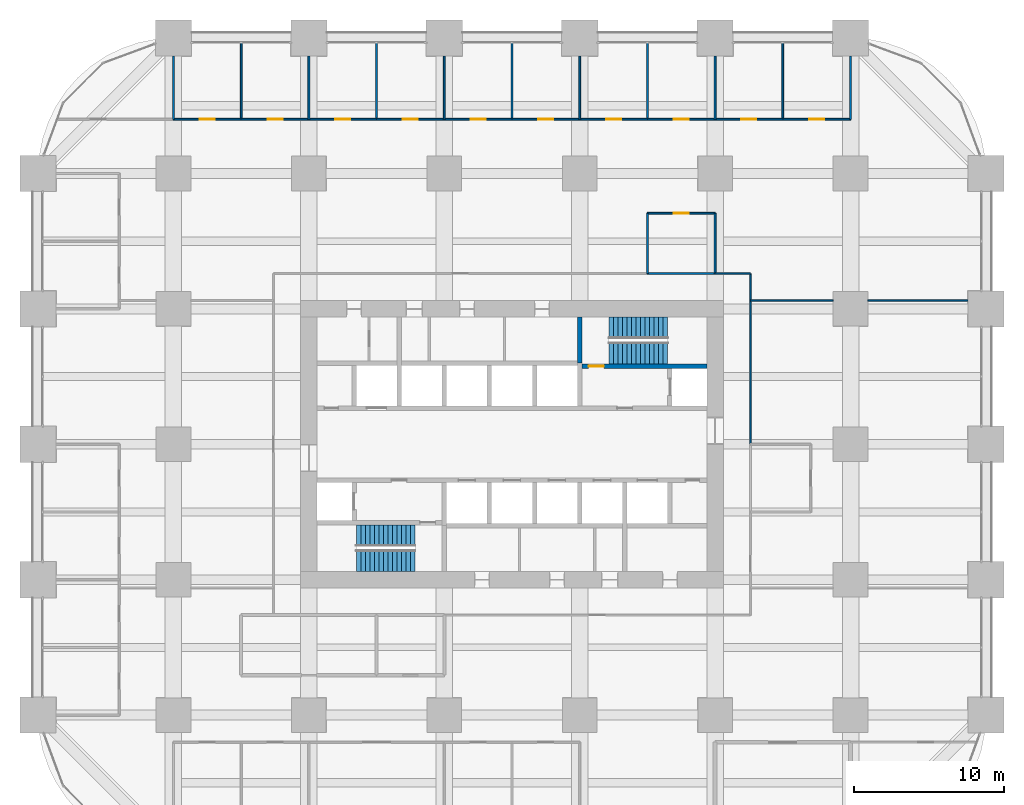
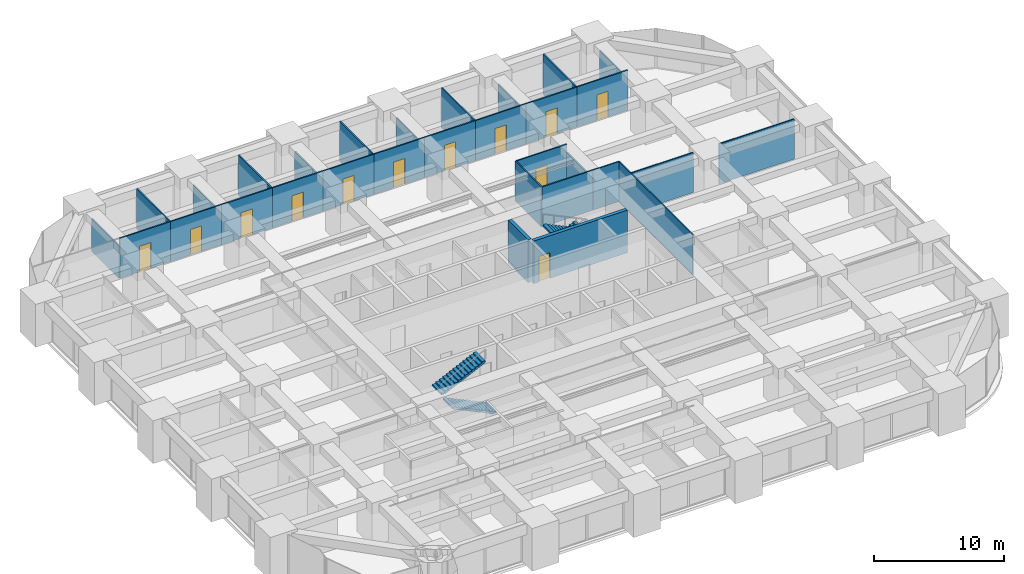
# One storey, part 42 of 44: 31 walls, 12 doors, 4 stair flights, 12 openings, 2 elements without a shape of their own.
"""IFC4 building model written with IfcOpenShell, lengths in metres."""

import ifcopenshell
import ifcopenshell.guid

model = None  # the IFC model being written
_history = None  # IfcOwnerHistory: only IFC2X3 demands one
_inside = {}  # id of a spatial element -> (the spatial element, [elements in it])
_under = {}  # id of a project, library or spatial element -> (it, [spatial elements below it])
_declared = {}  # id of a project -> (the project, [libraries it declares])
_typed = {}  # id of a type object -> (the type object, [elements of that type])
_made_of = {}  # id of a material, layer set ... -> (it, [elements and type objects made of it])


def new_model(schema):
    """Start an empty IFC model of exactly this schema.

    Asked for "IFC4X3", IfcOpenShell would pick the latest addendum, in which some entities
    have other attributes; the version numbers below select the first issue.
    IFC2X3 requires an IfcOwnerHistory on every rooted entity: one is made here for all.
    """
    global model, _history
    if schema == "IFC4X3":
        model = ifcopenshell.file(schema_version=(4, 3, 0, 0))
    else:
        model = ifcopenshell.file(schema=schema)
    _inside.clear()
    _under.clear()
    _declared.clear()
    _typed.clear()
    _made_of.clear()
    _history = None
    if model.schema == "IFC2X3":
        org = make("IfcOrganization", Name="unknown")
        user = make(
            "IfcPersonAndOrganization",
            ThePerson=make("IfcPerson", FamilyName="unknown"),
            TheOrganization=org,
        )
        app = make(
            "IfcApplication",
            ApplicationDeveloper=org,
            Version="unknown",
            ApplicationFullName="unknown",
            ApplicationIdentifier="unknown",
        )
        _history = make(
            "IfcOwnerHistory",
            OwningUser=user,
            OwningApplication=app,
            ChangeAction="ADDED",
            CreationDate=0,
        )
    return model


def make(cls, **values):
    """One entity of the class cls with the attributes given. An attribute that is None is left unset."""
    return model.create_entity(
        cls, **{name: value for name, value in values.items() if value is not None}
    )


def rooted(cls, **values):
    """An entity with a GlobalId (a new one), such as an element, a storey or a relation."""
    return make(cls, GlobalId=ifcopenshell.guid.new(), OwnerHistory=_history, **values)


def si_unit(unit_type, name, prefix=None):
    """IfcSIUnit, for example si_unit("LENGTHUNIT", "METRE", prefix="MILLI")."""
    return make("IfcSIUnit", UnitType=unit_type, Prefix=prefix, Name=name)


def assignment(units):
    """IfcUnitAssignment: the units of a project."""
    return None if units is None else make("IfcUnitAssignment", Units=units)


def point(xyz):
    """IfcCartesianPoint."""
    return None if xyz is None else make("IfcCartesianPoint", Coordinates=xyz)


def direction(xyz):
    """IfcDirection."""
    return None if xyz is None else make("IfcDirection", DirectionRatios=xyz)


def frame(location, z_axis=None, x_axis=None):
    """IfcAxis2Placement3D, a coordinate frame: its origin and axes. An axis left out is left unset."""
    return make(
        "IfcAxis2Placement3D",
        Location=point(location),
        Axis=direction(z_axis),
        RefDirection=direction(x_axis),
    )


def frame_2d(location, x_axis=None):
    """IfcAxis2Placement2D, a coordinate frame in the plane: its origin and x axis."""
    return make(
        "IfcAxis2Placement2D", Location=point(location), RefDirection=direction(x_axis)
    )


def origin():
    """The frame at (0, 0, 0) with its axes left unset."""
    return frame((0.0, 0.0, 0.0))


def place(relative_to, where):
    """IfcLocalPlacement: puts the frame where relative to a parent placement (None: the world)."""
    return make(
        "IfcLocalPlacement", PlacementRelTo=relative_to, RelativePlacement=where
    )


def context(
    kind, dimensions, precision=None, world=None, true_north=None, identifier=None
):
    """IfcGeometricRepresentationContext, for example the 3D "Model" context."""
    return make(
        "IfcGeometricRepresentationContext",
        ContextIdentifier=identifier,
        ContextType=kind,
        CoordinateSpaceDimension=dimensions,
        Precision=precision,
        WorldCoordinateSystem=world,
        TrueNorth=true_north,
    )


def subcontext(parent, identifier, kind, view, scale=None):
    """IfcGeometricRepresentationSubContext, for example "Body" below "Model"."""
    return make(
        "IfcGeometricRepresentationSubContext",
        ContextIdentifier=identifier,
        ContextType=kind,
        ParentContext=parent,
        TargetScale=scale,
        TargetView=view,
    )


def project(units=None, contexts=None):
    """IfcProject with its units and contexts."""
    return rooted(
        "IfcProject",
        Name="project",
        RepresentationContexts=contexts,
        UnitsInContext=assignment(units),
    )


def spatial(cls, under=None, at=None, **own):
    """A site, building, storey or space (cls), placed at a placement, below another one or the project."""
    s = rooted(cls, ObjectPlacement=at, **own)
    if under is not None:
        _under.setdefault(under.id(), (under, []))[1].append(s)
    return s


def polyline(points):
    """IfcPolyline through the points."""
    return make("IfcPolyline", Points=[point(p) for p in points])


def profile(cls, at=None, kind="AREA", **sizes):
    """A parametric profile (cls). Its sizes go by their IFC names, for example OverallWidth=200.0."""
    return make(cls, ProfileType=kind, Position=at, **sizes)


def rectangle(**sizes):
    """IfcRectangleProfileDef."""
    return profile("IfcRectangleProfileDef", **sizes)


def outline(outer, holes=None, kind="AREA"):
    """IfcArbitraryClosedProfileDef: a profile drawn as a closed curve; with holes, ...WithVoids."""
    if holes is None:
        return make("IfcArbitraryClosedProfileDef", ProfileType=kind, OuterCurve=outer)
    return make(
        "IfcArbitraryProfileDefWithVoids",
        ProfileType=kind,
        OuterCurve=outer,
        InnerCurves=holes,
    )


def extrude(swept, where, along, depth):
    """IfcExtrudedAreaSolid: the profile swept, set in the frame where, extruded along a direction by depth."""
    return make(
        "IfcExtrudedAreaSolid",
        SweptArea=swept,
        Position=where,
        ExtrudedDirection=direction(along),
        Depth=depth,
    )


def shape(context_of_items, identifier, shape_type, items):
    """IfcShapeRepresentation: the items that make up one representation, for example the "Body"."""
    return make(
        "IfcShapeRepresentation",
        ContextOfItems=context_of_items,
        RepresentationIdentifier=identifier,
        RepresentationType=shape_type,
        Items=items,
    )


def material(Name=None, Category=None):
    """IfcMaterial."""
    return make("IfcMaterial", Name=Name, Category=Category)


def layer(
    of_material, thickness, ventilated=None, Name=None, Category=None, Priority=None
):
    """IfcMaterialLayer: one layer of a wall or slab, of a material (None: an air gap)."""
    return make(
        "IfcMaterialLayer",
        Material=of_material,
        LayerThickness=thickness,
        IsVentilated=ventilated,
        Name=Name,
        Category=Category,
        Priority=Priority,
    )


def layer_set(layers, Name=None):
    """IfcMaterialLayerSet."""
    return make("IfcMaterialLayerSet", MaterialLayers=layers, LayerSetName=Name)


def made_of(thing, what):
    """Note that an element or type object is made of a material, layer set ...; save() writes the relation."""
    if what is not None:
        _made_of.setdefault(what.id(), (what, []))[1].append(thing)
    return thing


def type_object(cls, material=None, **own):
    """A type object (cls), such as IfcWallType, which elements share."""
    return made_of(rooted(cls, **own), material)


def element(
    cls,
    number,
    at=None,
    inside=None,
    cuts=None,
    type_object=None,
    material=None,
    context=None,
    identifier="Body",
    shape_type=None,
    held_by="IfcProductDefinitionShape",
    body=None,
    shapes=None,
    **own,
):
    """One element of the class cls, such as IfcWall. Its Tag is "e" and its number.

    at: its placement. inside: the storey or other place that contains it. cuts: it is an
    opening in that element (IfcRelVoidsElement). A single representation is given by context,
    identifier, shape_type and body (its items); several are given by shapes. held_by: the class
    of the entity that holds the representations. save() writes the other relations.
    """
    e = rooted(cls, Tag="e%d" % number, ObjectPlacement=at, **own)
    if body is not None:
        shapes = [shape(context, identifier, shape_type, body)]
    if shapes is not None:
        e.Representation = make(held_by, Representations=shapes)
    if inside is not None:
        _inside.setdefault(inside.id(), (inside, []))[1].append(e)
    if cuts is not None:
        rooted(
            "IfcRelVoidsElement", RelatingBuildingElement=cuts, RelatedOpeningElement=e
        )
    if type_object is not None:
        _typed.setdefault(type_object.id(), (type_object, []))[1].append(e)
    return made_of(e, material)


def fill(opening, filler):
    """IfcRelFillsElement: the door or window that sits in an opening."""
    return rooted(
        "IfcRelFillsElement",
        RelatingOpeningElement=opening,
        RelatedBuildingElement=filler,
    )


def aggregate(whole, parts):
    """IfcRelAggregates: a whole, such as a stair, and the parts it consists of."""
    return rooted("IfcRelAggregates", RelatingObject=whole, RelatedObjects=parts)


def save(model, path):
    """Write the relations noted so far, then the file.

    IfcRelAggregates (storeys below a building ...), IfcRelContainedInSpatialStructure (elements
    in a storey), IfcRelDefinesByType, IfcRelAssociatesMaterial and IfcRelDeclares: one each for
    every whole, place, type object, material and project.
    """
    for whole, parts in _under.values():
        aggregate(whole, parts)
    for where, things in _inside.values():
        rooted(
            "IfcRelContainedInSpatialStructure",
            RelatedElements=things,
            RelatingStructure=where,
        )
    for kind, things in _typed.values():
        rooted("IfcRelDefinesByType", RelatedObjects=things, RelatingType=kind)
    for what, things in _made_of.values():
        rooted("IfcRelAssociatesMaterial", RelatedObjects=things, RelatingMaterial=what)
    for by, libraries in _declared.values():
        rooted("IfcRelDeclares", RelatingContext=by, RelatedDefinitions=libraries)
    model.write(path)


model = new_model("IFC4")

# Units and contexts
model_context = context("Model", 3, precision=1e-05, world=origin(), true_north=direction((0.0, 1.0)))
body_context = subcontext(model_context, "Body", "Model", "MODEL_VIEW")
ifc_project = project(units=[si_unit("LENGTHUNIT", "METRE"), si_unit("AREAUNIT", "SQUARE_METRE"), si_unit("VOLUMEUNIT", "CUBIC_METRE"), si_unit("PLANEANGLEUNIT", "RADIAN"), si_unit("MASSUNIT", "GRAM", prefix="KILO")], contexts=[model_context])

# Site, building, storey
site_placement = place(None, origin())
site = spatial("IfcSite", under=ifc_project, at=site_placement, CompositionType="ELEMENT")
building_placement = place(site_placement, origin())
building = spatial("IfcBuilding", under=site, at=building_placement, Name="Zorevar Civic Tower", CompositionType="ELEMENT")
storey_placement = place(building_placement, frame((0.0, 0.0, 35.800048828125)))
storey = spatial("IfcBuildingStorey", under=building, at=storey_placement, Name="L08", CompositionType="ELEMENT", Elevation=35.800048828125)

# Walls
ifc_material_1 = material(Name="Laminated glass in black aluminium frame", Category="aluminium")
ifc_layer_1 = layer(ifc_material_1, 0.10009765625)
ifc_layer_set_1 = layer_set([ifc_layer_1], Name="Glazed partition 100")
wall_type_1 = type_object("IfcWallType", Name="Glazed partition 100", PredefinedType="PARTITIONING", material=ifc_layer_set_1)
wall_1_placement = place(storey_placement, frame((47.35009765625, 36.550048828125, 0.0), z_axis=(0.0, 0.0, 1.0), x_axis=(1.0, 0.0, 0.0)))
element("IfcWall", 1, at=wall_1_placement, inside=storey, type_object=wall_type_1, Name="Glazed partition 100 L08", PredefinedType="PARTITIONING", context=body_context, shape_type="SweptSolid", body=[
    extrude(rectangle(XDim=5.5, YDim=0.10009765625, at=frame_2d((2.75, 0.0))), origin(), (0.0, 0.0, 1.0), 3.75),
])
wall_2_placement = place(storey_placement, frame((55.14990234375, 36.550048828125, 0.0), z_axis=(0.0, 0.0, 1.0), x_axis=(1.0, 0.0, 0.0)))
element("IfcWall", 2, at=wall_2_placement, inside=storey, type_object=wall_type_1, Name="Glazed partition 100 L08", PredefinedType="PARTITIONING", context=body_context, shape_type="SweptSolid", body=[
    extrude(rectangle(XDim=6.650146484375, YDim=0.10009765625, at=frame_2d((3.3251953125, 0.0))), origin(), (0.0, 0.0, 1.0), 3.75),
])
wall_3_placement = place(storey_placement, frame((45.0, 38.35009765625, 0.0), z_axis=(0.0, 0.0, 1.0), x_axis=(1.0, 0.0, 0.0)))
element("IfcWall", 3, at=wall_3_placement, inside=storey, type_object=wall_type_1, Name="Glazed partition 100 L08", PredefinedType="PARTITIONING", context=body_context, shape_type="SweptSolid", body=[
    extrude(rectangle(XDim=2.35009765625, YDim=0.10009765625, at=frame_2d((1.175048828125, 0.0))), origin(), (0.0, 0.0, 1.0), 3.75),
])
wall_4_placement = place(storey_placement, frame((47.35009765625, 27.0, 0.0), z_axis=(0.0, 0.0, 1.0), x_axis=(0.0, 1.0, 0.0)))
element("IfcWall", 4, at=wall_4_placement, inside=storey, type_object=wall_type_1, Name="Glazed partition 100 L08", PredefinedType="PARTITIONING", context=body_context, shape_type="SweptSolid", body=[
    extrude(rectangle(XDim=11.35009765625, YDim=0.10009765625, at=frame_2d((5.675048828125, 0.0))), origin(), (0.0, 0.0, 1.0), 3.75),
])

# Wall, opening, door
ifc_material_2 = material(Name="Concrete C40/50", Category="concrete")
ifc_layer_2 = layer(ifc_material_2, 0.300048828125)
ifc_layer_set_2 = layer_set([ifc_layer_2], Name="Inner core wall 300")
wall_type_2 = type_object("IfcWallType", Name="Inner core wall 300", PredefinedType="SHEAR", material=ifc_layer_set_2)
wall_5_placement = place(storey_placement, frame((36.14990234375, 32.199951171875, 0.0), z_axis=(0.0, 0.0, 1.0), x_axis=(1.0, 0.0, 0.0)))
wall_5 = element("IfcWall", 5, at=wall_5_placement, inside=storey, type_object=wall_type_2, Name="Inner core wall N00 L08", PredefinedType="SHEAR", context=body_context, shape_type="SweptSolid", body=[
    extrude(rectangle(XDim=8.300048828125, YDim=0.300048828125, at=frame_2d((4.14990234375, 0.0))), origin(), (0.0, 0.0, 1.0), 4.0),
])
opening_1_placement = place(wall_5_placement, frame((0.449951171875, 0.0, 0.0)))
opening_1 = element("IfcOpeningElement", 6, at=opening_1_placement, cuts=wall_5, Name="Opening L08.12", PredefinedType="OPENING", context=body_context, shape_type="SweptSolid", body=[
    extrude(rectangle(XDim=1.0, YDim=2.39990234375, at=frame_2d((0.5, 1.199951171875))), frame((0.0, 0.159912109375, 0.0), z_axis=(0.0, -1.0, 0.0), x_axis=(1.0, 0.0, 0.0)), (0.0, 0.0, 1.0), 0.320068359375),
])
ifc_material_3 = material(Name="Steel door set", Category="steel")
door_type_1 = type_object("IfcDoorType", Name="Fire door FD1 1000x2400", OperationType="SINGLE_SWING_LEFT", PredefinedType="DOOR", material=ifc_material_3)
door_1_placement = place(opening_1_placement, origin())
door_1 = element("IfcDoor", 7, at=door_1_placement, inside=storey, type_object=door_type_1, Name="Door L08 11", OperationType="SINGLE_SWING_RIGHT", OverallHeight=2.39990234375, OverallWidth=1.0, PredefinedType="DOOR", context=body_context, shape_type="SweptSolid", body=[
    extrude(rectangle(XDim=1.0, YDim=2.39990234375, at=frame_2d((0.5, 1.199951171875))), frame((0.0, 0.030029296875, 0.0), z_axis=(0.0, -1.0, 0.0), x_axis=(1.0, 0.0, 0.0)), (0.0, 0.0, 1.0), 0.06005859375),
])
fill(opening_1, door_1)

# Walls
wall_6_placement = place(storey_placement, frame((36.0, 32.39990234375, 0.0), z_axis=(0.0, 0.0, 1.0), x_axis=(0.0, 1.0, 0.0)))
element("IfcWall", 8, at=wall_6_placement, inside=storey, type_object=wall_type_2, Name="Inner core wall N01 L08", PredefinedType="SHEAR", context=body_context, shape_type="SweptSolid", body=[
    extrude(rectangle(XDim=3.050048828125, YDim=0.300048828125, at=frame_2d((1.52490234375, 0.0))), origin(), (0.0, 0.0, 1.0), 4.0),
])
ifc_material_4 = material(Name="Gypsum board on steel studs", Category="steel")
ifc_layer_3 = layer(ifc_material_4, 0.1201171875)
ifc_layer_set_3 = layer_set([ifc_layer_3], Name="Partition 120")
wall_type_3 = type_object("IfcWallType", Name="Partition 120", PredefinedType="PARTITIONING", material=ifc_layer_set_3)
wall_7_placement = place(storey_placement, frame((40.5, 38.35009765625, 0.0), z_axis=(0.0, 0.0, 1.0), x_axis=(1.0, 0.0, 0.0)))
element("IfcWall", 9, at=wall_7_placement, inside=storey, type_object=wall_type_3, Name="Partition 120 L08", PredefinedType="PARTITIONING", context=body_context, shape_type="SweptSolid", body=[
    extrude(rectangle(XDim=4.5, YDim=0.1201171875, at=frame_2d((2.25, 0.0))), origin(), (0.0, 0.0, 1.0), 3.75),
])

# Wall, opening, door
wall_8_placement = place(storey_placement, frame((40.5, 42.35009765625, 0.0), z_axis=(0.0, 0.0, 1.0), x_axis=(1.0, 0.0, 0.0)))
wall_8 = element("IfcWall", 10, at=wall_8_placement, inside=storey, type_object=wall_type_3, Name="Partition 120 L08", PredefinedType="PARTITIONING", context=body_context, shape_type="SweptSolid", body=[
    extrude(rectangle(XDim=4.5, YDim=0.1201171875, at=frame_2d((2.25, 0.0))), origin(), (0.0, 0.0, 1.0), 3.75),
])
opening_2_placement = place(wall_8_placement, frame((1.75, 0.0, 0.0)))
opening_2 = element("IfcOpeningElement", 11, at=opening_2_placement, cuts=wall_8, Name="Opening L08.28", PredefinedType="OPENING", context=body_context, shape_type="SweptSolid", body=[
    extrude(rectangle(XDim=1.0, YDim=2.39990234375, at=frame_2d((0.5, 1.199951171875))), frame((0.0, 0.070068359375, 0.0), z_axis=(0.0, -1.0, 0.0), x_axis=(1.0, 0.0, 0.0)), (0.0, 0.0, 1.0), 0.14013671875),
])
ifc_material_5 = material(Name="Timber door set", Category="wood")
door_type_2 = type_object("IfcDoorType", Name="Door D1 1000x2400", OperationType="SINGLE_SWING_LEFT", PredefinedType="DOOR", material=ifc_material_5)
door_2_placement = place(opening_2_placement, origin())
door_2 = element("IfcDoor", 12, at=door_2_placement, inside=storey, type_object=door_type_2, Name="Door L08 D1", OperationType="SINGLE_SWING_LEFT", OverallHeight=2.39990234375, OverallWidth=1.0, PredefinedType="DOOR", context=body_context, shape_type="SweptSolid", body=[
    extrude(rectangle(XDim=1.0, YDim=2.39990234375, at=frame_2d((0.5, 1.199951171875))), frame((0.0, 0.02490234375, 0.0), z_axis=(0.0, -1.0, 0.0), x_axis=(1.0, 0.0, 0.0)), (0.0, 0.0, 1.0), 0.050048828125),
])
fill(opening_2, door_2)

wall_9_placement = place(storey_placement, frame((9.0, 48.60009765625, 0.0), z_axis=(0.0, 0.0, 1.0), x_axis=(1.0, 0.0, 0.0)))
wall_9 = element("IfcWall", 13, at=wall_9_placement, inside=storey, type_object=wall_type_3, Name="Partition 120 L08", PredefinedType="PARTITIONING", context=body_context, shape_type="SweptSolid", body=[
    extrude(rectangle(XDim=4.5, YDim=0.1201171875, at=frame_2d((2.25, 0.0))), origin(), (0.0, 0.0, 1.0), 3.75),
])
opening_3_placement = place(wall_9_placement, frame((1.75, 0.0, 0.0)))
opening_3 = element("IfcOpeningElement", 14, at=opening_3_placement, cuts=wall_9, Name="Opening L08.29", PredefinedType="OPENING", context=body_context, shape_type="SweptSolid", body=[
    extrude(rectangle(XDim=1.0, YDim=2.39990234375, at=frame_2d((0.5, 1.199951171875))), frame((0.0, 0.070068359375, 0.0), z_axis=(0.0, -1.0, 0.0), x_axis=(1.0, 0.0, 0.0)), (0.0, 0.0, 1.0), 0.14013671875),
])
door_3_placement = place(opening_3_placement, origin())
door_3 = element("IfcDoor", 15, at=door_3_placement, inside=storey, type_object=door_type_2, Name="Door L08 D1", OperationType="SINGLE_SWING_LEFT", OverallHeight=2.39990234375, OverallWidth=1.0, PredefinedType="DOOR", context=body_context, shape_type="SweptSolid", body=[
    extrude(rectangle(XDim=1.0, YDim=2.39990234375, at=frame_2d((0.5, 1.199951171875))), frame((0.0, 0.02490234375, 0.0), z_axis=(0.0, -1.0, 0.0), x_axis=(1.0, 0.0, 0.0)), (0.0, 0.0, 1.0), 0.050048828125),
])
fill(opening_3, door_3)

wall_10_placement = place(storey_placement, frame((13.5, 48.60009765625, 0.0), z_axis=(0.0, 0.0, 1.0), x_axis=(1.0, 0.0, 0.0)))
wall_10 = element("IfcWall", 16, at=wall_10_placement, inside=storey, type_object=wall_type_3, Name="Partition 120 L08", PredefinedType="PARTITIONING", context=body_context, shape_type="SweptSolid", body=[
    extrude(rectangle(XDim=4.5, YDim=0.1201171875, at=frame_2d((2.25, 0.0))), origin(), (0.0, 0.0, 1.0), 3.75),
])
opening_4_placement = place(wall_10_placement, frame((1.75, 0.0, 0.0)))
opening_4 = element("IfcOpeningElement", 17, at=opening_4_placement, cuts=wall_10, Name="Opening L08.30", PredefinedType="OPENING", context=body_context, shape_type="SweptSolid", body=[
    extrude(rectangle(XDim=1.0, YDim=2.39990234375, at=frame_2d((0.5, 1.199951171875))), frame((0.0, 0.070068359375, 0.0), z_axis=(0.0, -1.0, 0.0), x_axis=(1.0, 0.0, 0.0)), (0.0, 0.0, 1.0), 0.14013671875),
])
door_4_placement = place(opening_4_placement, origin())
door_4 = element("IfcDoor", 18, at=door_4_placement, inside=storey, type_object=door_type_2, Name="Door L08 D1", OperationType="SINGLE_SWING_LEFT", OverallHeight=2.39990234375, OverallWidth=1.0, PredefinedType="DOOR", context=body_context, shape_type="SweptSolid", body=[
    extrude(rectangle(XDim=1.0, YDim=2.39990234375, at=frame_2d((0.5, 1.199951171875))), frame((0.0, 0.02490234375, 0.0), z_axis=(0.0, -1.0, 0.0), x_axis=(1.0, 0.0, 0.0)), (0.0, 0.0, 1.0), 0.050048828125),
])
fill(opening_4, door_4)

wall_11_placement = place(storey_placement, frame((18.0, 48.60009765625, 0.0), z_axis=(0.0, 0.0, 1.0), x_axis=(1.0, 0.0, 0.0)))
wall_11 = element("IfcWall", 19, at=wall_11_placement, inside=storey, type_object=wall_type_3, Name="Partition 120 L08", PredefinedType="PARTITIONING", context=body_context, shape_type="SweptSolid", body=[
    extrude(rectangle(XDim=4.5, YDim=0.1201171875, at=frame_2d((2.25, 0.0))), origin(), (0.0, 0.0, 1.0), 3.75),
])
opening_5_placement = place(wall_11_placement, frame((1.75, 0.0, 0.0)))
opening_5 = element("IfcOpeningElement", 20, at=opening_5_placement, cuts=wall_11, Name="Opening L08.31", PredefinedType="OPENING", context=body_context, shape_type="SweptSolid", body=[
    extrude(rectangle(XDim=1.0, YDim=2.39990234375, at=frame_2d((0.5, 1.199951171875))), frame((0.0, 0.070068359375, 0.0), z_axis=(0.0, -1.0, 0.0), x_axis=(1.0, 0.0, 0.0)), (0.0, 0.0, 1.0), 0.14013671875),
])
door_5_placement = place(opening_5_placement, origin())
door_5 = element("IfcDoor", 21, at=door_5_placement, inside=storey, type_object=door_type_2, Name="Door L08 D1", OperationType="SINGLE_SWING_LEFT", OverallHeight=2.39990234375, OverallWidth=1.0, PredefinedType="DOOR", context=body_context, shape_type="SweptSolid", body=[
    extrude(rectangle(XDim=1.0, YDim=2.39990234375, at=frame_2d((0.5, 1.199951171875))), frame((0.0, 0.02490234375, 0.0), z_axis=(0.0, -1.0, 0.0), x_axis=(1.0, 0.0, 0.0)), (0.0, 0.0, 1.0), 0.050048828125),
])
fill(opening_5, door_5)

wall_12_placement = place(storey_placement, frame((22.5, 48.60009765625, 0.0), z_axis=(0.0, 0.0, 1.0), x_axis=(1.0, 0.0, 0.0)))
wall_12 = element("IfcWall", 22, at=wall_12_placement, inside=storey, type_object=wall_type_3, Name="Partition 120 L08", PredefinedType="PARTITIONING", context=body_context, shape_type="SweptSolid", body=[
    extrude(rectangle(XDim=4.5, YDim=0.1201171875, at=frame_2d((2.25, 0.0))), origin(), (0.0, 0.0, 1.0), 3.75),
])
opening_6_placement = place(wall_12_placement, frame((1.75, 0.0, 0.0)))
opening_6 = element("IfcOpeningElement", 23, at=opening_6_placement, cuts=wall_12, Name="Opening L08.32", PredefinedType="OPENING", context=body_context, shape_type="SweptSolid", body=[
    extrude(rectangle(XDim=1.0, YDim=2.39990234375, at=frame_2d((0.5, 1.199951171875))), frame((0.0, 0.070068359375, 0.0), z_axis=(0.0, -1.0, 0.0), x_axis=(1.0, 0.0, 0.0)), (0.0, 0.0, 1.0), 0.14013671875),
])
door_6_placement = place(opening_6_placement, origin())
door_6 = element("IfcDoor", 24, at=door_6_placement, inside=storey, type_object=door_type_2, Name="Door L08 D1", OperationType="SINGLE_SWING_LEFT", OverallHeight=2.39990234375, OverallWidth=1.0, PredefinedType="DOOR", context=body_context, shape_type="SweptSolid", body=[
    extrude(rectangle(XDim=1.0, YDim=2.39990234375, at=frame_2d((0.5, 1.199951171875))), frame((0.0, 0.02490234375, 0.0), z_axis=(0.0, -1.0, 0.0), x_axis=(1.0, 0.0, 0.0)), (0.0, 0.0, 1.0), 0.050048828125),
])
fill(opening_6, door_6)

wall_13_placement = place(storey_placement, frame((27.0, 48.60009765625, 0.0), z_axis=(0.0, 0.0, 1.0), x_axis=(1.0, 0.0, 0.0)))
wall_13 = element("IfcWall", 25, at=wall_13_placement, inside=storey, type_object=wall_type_3, Name="Partition 120 L08", PredefinedType="PARTITIONING", context=body_context, shape_type="SweptSolid", body=[
    extrude(rectangle(XDim=4.5, YDim=0.1201171875, at=frame_2d((2.25, 0.0))), origin(), (0.0, 0.0, 1.0), 3.75),
])
opening_7_placement = place(wall_13_placement, frame((1.75, 0.0, 0.0)))
opening_7 = element("IfcOpeningElement", 26, at=opening_7_placement, cuts=wall_13, Name="Opening L08.33", PredefinedType="OPENING", context=body_context, shape_type="SweptSolid", body=[
    extrude(rectangle(XDim=1.0, YDim=2.39990234375, at=frame_2d((0.5, 1.199951171875))), frame((0.0, 0.070068359375, 0.0), z_axis=(0.0, -1.0, 0.0), x_axis=(1.0, 0.0, 0.0)), (0.0, 0.0, 1.0), 0.14013671875),
])
door_7_placement = place(opening_7_placement, origin())
door_7 = element("IfcDoor", 27, at=door_7_placement, inside=storey, type_object=door_type_2, Name="Door L08 D1", OperationType="SINGLE_SWING_LEFT", OverallHeight=2.39990234375, OverallWidth=1.0, PredefinedType="DOOR", context=body_context, shape_type="SweptSolid", body=[
    extrude(rectangle(XDim=1.0, YDim=2.39990234375, at=frame_2d((0.5, 1.199951171875))), frame((0.0, 0.02490234375, 0.0), z_axis=(0.0, -1.0, 0.0), x_axis=(1.0, 0.0, 0.0)), (0.0, 0.0, 1.0), 0.050048828125),
])
fill(opening_7, door_7)

wall_14_placement = place(storey_placement, frame((31.5, 48.60009765625, 0.0), z_axis=(0.0, 0.0, 1.0), x_axis=(1.0, 0.0, 0.0)))
wall_14 = element("IfcWall", 28, at=wall_14_placement, inside=storey, type_object=wall_type_3, Name="Partition 120 L08", PredefinedType="PARTITIONING", context=body_context, shape_type="SweptSolid", body=[
    extrude(rectangle(XDim=4.5, YDim=0.1201171875, at=frame_2d((2.25, 0.0))), origin(), (0.0, 0.0, 1.0), 3.75),
])
opening_8_placement = place(wall_14_placement, frame((1.75, 0.0, 0.0)))
opening_8 = element("IfcOpeningElement", 29, at=opening_8_placement, cuts=wall_14, Name="Opening L08.34", PredefinedType="OPENING", context=body_context, shape_type="SweptSolid", body=[
    extrude(rectangle(XDim=1.0, YDim=2.39990234375, at=frame_2d((0.5, 1.199951171875))), frame((0.0, 0.070068359375, 0.0), z_axis=(0.0, -1.0, 0.0), x_axis=(1.0, 0.0, 0.0)), (0.0, 0.0, 1.0), 0.14013671875),
])
door_8_placement = place(opening_8_placement, origin())
door_8 = element("IfcDoor", 30, at=door_8_placement, inside=storey, type_object=door_type_2, Name="Door L08 D1", OperationType="SINGLE_SWING_RIGHT", OverallHeight=2.39990234375, OverallWidth=1.0, PredefinedType="DOOR", context=body_context, shape_type="SweptSolid", body=[
    extrude(rectangle(XDim=1.0, YDim=2.39990234375, at=frame_2d((0.5, 1.199951171875))), frame((0.0, 0.02490234375, 0.0), z_axis=(0.0, -1.0, 0.0), x_axis=(1.0, 0.0, 0.0)), (0.0, 0.0, 1.0), 0.050048828125),
])
fill(opening_8, door_8)

wall_15_placement = place(storey_placement, frame((36.0, 48.60009765625, 0.0), z_axis=(0.0, 0.0, 1.0), x_axis=(1.0, 0.0, 0.0)))
wall_15 = element("IfcWall", 31, at=wall_15_placement, inside=storey, type_object=wall_type_3, Name="Partition 120 L08", PredefinedType="PARTITIONING", context=body_context, shape_type="SweptSolid", body=[
    extrude(rectangle(XDim=4.5, YDim=0.1201171875, at=frame_2d((2.25, 0.0))), origin(), (0.0, 0.0, 1.0), 3.75),
])
opening_9_placement = place(wall_15_placement, frame((1.75, 0.0, 0.0)))
opening_9 = element("IfcOpeningElement", 32, at=opening_9_placement, cuts=wall_15, Name="Opening L08.35", PredefinedType="OPENING", context=body_context, shape_type="SweptSolid", body=[
    extrude(rectangle(XDim=1.0, YDim=2.39990234375, at=frame_2d((0.5, 1.199951171875))), frame((0.0, 0.070068359375, 0.0), z_axis=(0.0, -1.0, 0.0), x_axis=(1.0, 0.0, 0.0)), (0.0, 0.0, 1.0), 0.14013671875),
])
door_9_placement = place(opening_9_placement, origin())
door_9 = element("IfcDoor", 33, at=door_9_placement, inside=storey, type_object=door_type_2, Name="Door L08 D1", OperationType="SINGLE_SWING_RIGHT", OverallHeight=2.39990234375, OverallWidth=1.0, PredefinedType="DOOR", context=body_context, shape_type="SweptSolid", body=[
    extrude(rectangle(XDim=1.0, YDim=2.39990234375, at=frame_2d((0.5, 1.199951171875))), frame((0.0, 0.02490234375, 0.0), z_axis=(0.0, -1.0, 0.0), x_axis=(1.0, 0.0, 0.0)), (0.0, 0.0, 1.0), 0.050048828125),
])
fill(opening_9, door_9)

wall_16_placement = place(storey_placement, frame((40.5, 48.60009765625, 0.0), z_axis=(0.0, 0.0, 1.0), x_axis=(1.0, 0.0, 0.0)))
wall_16 = element("IfcWall", 34, at=wall_16_placement, inside=storey, type_object=wall_type_3, Name="Partition 120 L08", PredefinedType="PARTITIONING", context=body_context, shape_type="SweptSolid", body=[
    extrude(rectangle(XDim=4.5, YDim=0.1201171875, at=frame_2d((2.25, 0.0))), origin(), (0.0, 0.0, 1.0), 3.75),
])
opening_10_placement = place(wall_16_placement, frame((1.75, 0.0, 0.0)))
opening_10 = element("IfcOpeningElement", 35, at=opening_10_placement, cuts=wall_16, Name="Opening L08.36", PredefinedType="OPENING", context=body_context, shape_type="SweptSolid", body=[
    extrude(rectangle(XDim=1.0, YDim=2.39990234375, at=frame_2d((0.5, 1.199951171875))), frame((0.0, 0.070068359375, 0.0), z_axis=(0.0, -1.0, 0.0), x_axis=(1.0, 0.0, 0.0)), (0.0, 0.0, 1.0), 0.14013671875),
])
door_10_placement = place(opening_10_placement, origin())
door_10 = element("IfcDoor", 36, at=door_10_placement, inside=storey, type_object=door_type_2, Name="Door L08 D1", OperationType="SINGLE_SWING_RIGHT", OverallHeight=2.39990234375, OverallWidth=1.0, PredefinedType="DOOR", context=body_context, shape_type="SweptSolid", body=[
    extrude(rectangle(XDim=1.0, YDim=2.39990234375, at=frame_2d((0.5, 1.199951171875))), frame((0.0, 0.02490234375, 0.0), z_axis=(0.0, -1.0, 0.0), x_axis=(1.0, 0.0, 0.0)), (0.0, 0.0, 1.0), 0.050048828125),
])
fill(opening_10, door_10)

wall_17_placement = place(storey_placement, frame((45.0, 48.60009765625, 0.0), z_axis=(0.0, 0.0, 1.0), x_axis=(1.0, 0.0, 0.0)))
wall_17 = element("IfcWall", 37, at=wall_17_placement, inside=storey, type_object=wall_type_3, Name="Partition 120 L08", PredefinedType="PARTITIONING", context=body_context, shape_type="SweptSolid", body=[
    extrude(rectangle(XDim=4.5, YDim=0.1201171875, at=frame_2d((2.25, 0.0))), origin(), (0.0, 0.0, 1.0), 3.75),
])
opening_11_placement = place(wall_17_placement, frame((1.75, 0.0, 0.0)))
opening_11 = element("IfcOpeningElement", 38, at=opening_11_placement, cuts=wall_17, Name="Opening L08.37", PredefinedType="OPENING", context=body_context, shape_type="SweptSolid", body=[
    extrude(rectangle(XDim=1.0, YDim=2.39990234375, at=frame_2d((0.5, 1.199951171875))), frame((0.0, 0.070068359375, 0.0), z_axis=(0.0, -1.0, 0.0), x_axis=(1.0, 0.0, 0.0)), (0.0, 0.0, 1.0), 0.14013671875),
])
door_11_placement = place(opening_11_placement, origin())
door_11 = element("IfcDoor", 39, at=door_11_placement, inside=storey, type_object=door_type_2, Name="Door L08 D1", OperationType="SINGLE_SWING_RIGHT", OverallHeight=2.39990234375, OverallWidth=1.0, PredefinedType="DOOR", context=body_context, shape_type="SweptSolid", body=[
    extrude(rectangle(XDim=1.0, YDim=2.39990234375, at=frame_2d((0.5, 1.199951171875))), frame((0.0, 0.02490234375, 0.0), z_axis=(0.0, -1.0, 0.0), x_axis=(1.0, 0.0, 0.0)), (0.0, 0.0, 1.0), 0.050048828125),
])
fill(opening_11, door_11)

wall_18_placement = place(storey_placement, frame((49.5, 48.60009765625, 0.0), z_axis=(0.0, 0.0, 1.0), x_axis=(1.0, 0.0, 0.0)))
wall_18 = element("IfcWall", 40, at=wall_18_placement, inside=storey, type_object=wall_type_3, Name="Partition 120 L08", PredefinedType="PARTITIONING", context=body_context, shape_type="SweptSolid", body=[
    extrude(rectangle(XDim=4.5, YDim=0.1201171875, at=frame_2d((2.25, 0.0))), origin(), (0.0, 0.0, 1.0), 3.75),
])
opening_12_placement = place(wall_18_placement, frame((1.75, 0.0, 0.0)))
opening_12 = element("IfcOpeningElement", 41, at=opening_12_placement, cuts=wall_18, Name="Opening L08.38", PredefinedType="OPENING", context=body_context, shape_type="SweptSolid", body=[
    extrude(rectangle(XDim=1.0, YDim=2.39990234375, at=frame_2d((0.5, 1.199951171875))), frame((0.0, 0.070068359375, 0.0), z_axis=(0.0, -1.0, 0.0), x_axis=(1.0, 0.0, 0.0)), (0.0, 0.0, 1.0), 0.14013671875),
])
door_12_placement = place(opening_12_placement, origin())
door_12 = element("IfcDoor", 42, at=door_12_placement, inside=storey, type_object=door_type_2, Name="Door L08 D1", OperationType="SINGLE_SWING_RIGHT", OverallHeight=2.39990234375, OverallWidth=1.0, PredefinedType="DOOR", context=body_context, shape_type="SweptSolid", body=[
    extrude(rectangle(XDim=1.0, YDim=2.39990234375, at=frame_2d((0.5, 1.199951171875))), frame((0.0, 0.02490234375, 0.0), z_axis=(0.0, -1.0, 0.0), x_axis=(1.0, 0.0, 0.0)), (0.0, 0.0, 1.0), 0.050048828125),
])
fill(opening_12, door_12)

# Walls
wall_19_placement = place(storey_placement, frame((9.0, 48.60009765625, 0.0), z_axis=(0.0, 0.0, 1.0), x_axis=(0.0, 1.0, 0.0)))
element("IfcWall", 43, at=wall_19_placement, inside=storey, type_object=wall_type_3, Name="Partition 120 L08", PredefinedType="PARTITIONING", context=body_context, shape_type="SweptSolid", body=[
    extrude(rectangle(XDim=4.199951171875, YDim=0.1201171875, at=frame_2d((2.10009765625, 0.0))), origin(), (0.0, 0.0, 1.0), 3.050048828125),
])
wall_20_placement = place(storey_placement, frame((13.5, 48.60009765625, 0.0), z_axis=(0.0, 0.0, 1.0), x_axis=(0.0, 1.0, 0.0)))
element("IfcWall", 44, at=wall_20_placement, inside=storey, type_object=wall_type_3, Name="Partition 120 L08", PredefinedType="PARTITIONING", context=body_context, shape_type="SweptSolid", body=[
    extrude(rectangle(XDim=5.08984375, YDim=0.1201171875, at=frame_2d((2.544921875, 0.0))), origin(), (0.0, 0.0, 1.0), 3.75),
])
wall_21_placement = place(storey_placement, frame((18.0, 48.60009765625, 0.0), z_axis=(0.0, 0.0, 1.0), x_axis=(0.0, 1.0, 0.0)))
element("IfcWall", 45, at=wall_21_placement, inside=storey, type_object=wall_type_3, Name="Partition 120 L08", PredefinedType="PARTITIONING", context=body_context, shape_type="SweptSolid", body=[
    extrude(rectangle(XDim=4.199951171875, YDim=0.1201171875, at=frame_2d((2.10009765625, 0.0))), origin(), (0.0, 0.0, 1.0), 3.050048828125),
])
wall_22_placement = place(storey_placement, frame((22.5, 48.60009765625, 0.0), z_axis=(0.0, 0.0, 1.0), x_axis=(0.0, 1.0, 0.0)))
element("IfcWall", 46, at=wall_22_placement, inside=storey, type_object=wall_type_3, Name="Partition 120 L08", PredefinedType="PARTITIONING", context=body_context, shape_type="SweptSolid", body=[
    extrude(rectangle(XDim=5.08984375, YDim=0.1201171875, at=frame_2d((2.544921875, 0.0))), origin(), (0.0, 0.0, 1.0), 3.75),
])
wall_23_placement = place(storey_placement, frame((27.0, 48.60009765625, 0.0), z_axis=(0.0, 0.0, 1.0), x_axis=(0.0, 1.0, 0.0)))
element("IfcWall", 47, at=wall_23_placement, inside=storey, type_object=wall_type_3, Name="Partition 120 L08", PredefinedType="PARTITIONING", context=body_context, shape_type="SweptSolid", body=[
    extrude(rectangle(XDim=4.199951171875, YDim=0.1201171875, at=frame_2d((2.10009765625, 0.0))), origin(), (0.0, 0.0, 1.0), 3.050048828125),
])
wall_24_placement = place(storey_placement, frame((31.5, 48.60009765625, 0.0), z_axis=(0.0, 0.0, 1.0), x_axis=(0.0, 1.0, 0.0)))
element("IfcWall", 48, at=wall_24_placement, inside=storey, type_object=wall_type_3, Name="Partition 120 L08", PredefinedType="PARTITIONING", context=body_context, shape_type="SweptSolid", body=[
    extrude(rectangle(XDim=5.08984375, YDim=0.1201171875, at=frame_2d((2.544921875, 0.0))), origin(), (0.0, 0.0, 1.0), 3.75),
])
wall_25_placement = place(storey_placement, frame((36.0, 48.60009765625, 0.0), z_axis=(0.0, 0.0, 1.0), x_axis=(0.0, 1.0, 0.0)))
element("IfcWall", 49, at=wall_25_placement, inside=storey, type_object=wall_type_3, Name="Partition 120 L08", PredefinedType="PARTITIONING", context=body_context, shape_type="SweptSolid", body=[
    extrude(rectangle(XDim=4.199951171875, YDim=0.1201171875, at=frame_2d((2.10009765625, 0.0))), origin(), (0.0, 0.0, 1.0), 3.050048828125),
])
wall_26_placement = place(storey_placement, frame((40.5, 48.60009765625, 0.0), z_axis=(0.0, 0.0, 1.0), x_axis=(0.0, 1.0, 0.0)))
element("IfcWall", 50, at=wall_26_placement, inside=storey, type_object=wall_type_3, Name="Partition 120 L08", PredefinedType="PARTITIONING", context=body_context, shape_type="SweptSolid", body=[
    extrude(rectangle(XDim=5.08984375, YDim=0.1201171875, at=frame_2d((2.544921875, 0.0))), origin(), (0.0, 0.0, 1.0), 3.75),
])
wall_27_placement = place(storey_placement, frame((40.5, 38.35009765625, 0.0), z_axis=(0.0, 0.0, 1.0), x_axis=(0.0, 1.0, 0.0)))
element("IfcWall", 51, at=wall_27_placement, inside=storey, type_object=wall_type_3, Name="Partition 120 L08", PredefinedType="PARTITIONING", context=body_context, shape_type="SweptSolid", body=[
    extrude(rectangle(XDim=4.0, YDim=0.1201171875, at=frame_2d((2.0, 0.0))), origin(), (0.0, 0.0, 1.0), 3.75),
])
wall_28_placement = place(storey_placement, frame((45.0, 48.60009765625, 0.0), z_axis=(0.0, 0.0, 1.0), x_axis=(0.0, 1.0, 0.0)))
element("IfcWall", 52, at=wall_28_placement, inside=storey, type_object=wall_type_3, Name="Partition 120 L08", PredefinedType="PARTITIONING", context=body_context, shape_type="SweptSolid", body=[
    extrude(rectangle(XDim=4.199951171875, YDim=0.1201171875, at=frame_2d((2.10009765625, 0.0))), origin(), (0.0, 0.0, 1.0), 3.050048828125),
])
wall_29_placement = place(storey_placement, frame((45.0, 38.35009765625, 0.0), z_axis=(0.0, 0.0, 1.0), x_axis=(0.0, 1.0, 0.0)))
element("IfcWall", 53, at=wall_29_placement, inside=storey, type_object=wall_type_3, Name="Partition 120 L08", PredefinedType="PARTITIONING", context=body_context, shape_type="SweptSolid", body=[
    extrude(rectangle(XDim=4.0, YDim=0.1201171875, at=frame_2d((2.0, 0.0))), origin(), (0.0, 0.0, 1.0), 3.050048828125),
])
wall_30_placement = place(storey_placement, frame((49.5, 48.60009765625, 0.0), z_axis=(0.0, 0.0, 1.0), x_axis=(0.0, 1.0, 0.0)))
element("IfcWall", 54, at=wall_30_placement, inside=storey, type_object=wall_type_3, Name="Partition 120 L08", PredefinedType="PARTITIONING", context=body_context, shape_type="SweptSolid", body=[
    extrude(rectangle(XDim=5.08984375, YDim=0.1201171875, at=frame_2d((2.544921875, 0.0))), origin(), (0.0, 0.0, 1.0), 3.75),
])
wall_31_placement = place(storey_placement, frame((54.0, 48.60009765625, 0.0), z_axis=(0.0, 0.0, 1.0), x_axis=(0.0, 1.0, 0.0)))
element("IfcWall", 55, at=wall_31_placement, inside=storey, type_object=wall_type_3, Name="Partition 120 L08", PredefinedType="PARTITIONING", context=body_context, shape_type="SweptSolid", body=[
    extrude(rectangle(XDim=4.199951171875, YDim=0.1201171875, at=frame_2d((2.10009765625, 0.0))), origin(), (0.0, 0.0, 1.0), 3.050048828125),
])

# Stair, stair flights
ifc_material_6 = material(Name="Precast concrete C40/50", Category="concrete")
stair_type = type_object("IfcStairType", Name="Stair ST 28R", PredefinedType="HALF_TURN_STAIR", material=ifc_material_6)
stair_1_placement = place(storey_placement, origin())
stair_1 = element("IfcStair", 56, at=stair_1_placement, inside=storey, type_object=stair_type, Name="Stair ST1 L08", PredefinedType="HALF_TURN_STAIR")
ifc_material_7 = material(Name="Precast concrete C40/50", Category="concrete")
stair_flight_type = type_object("IfcStairFlightType", Name="Stair flight", PredefinedType="STRAIGHT", material=ifc_material_7)
stair_flight_1_placement = place(storey_placement, frame((25.050048828125, 19.262451171875, 0.0), z_axis=(0.0, 0.0, 1.0), x_axis=(-1.0, 0.0, 0.0)))
stair_flight_1 = element("IfcStairFlight", 57, at=stair_flight_1_placement, type_object=stair_flight_type, Name="ST1 flight 1", NumberOfRisers=14, NumberOfTreads=13, PredefinedType="STRAIGHT", RiserHeight=0.142857143, TreadLength=0.3, context=body_context, shape_type="SweptSolid", body=[
    extrude(outline(polyline([(0.0, 0.0), (0.0, 0.142822265625), (0.300048828125, 0.142822265625), (0.300048828125, 0.28564453125), (0.60009765625, 0.28564453125), (0.60009765625, 0.428466796875), (0.89990234375, 0.428466796875), (0.89990234375, 0.571533203125), (1.199951171875, 0.571533203125), (1.199951171875, 0.71435546875), (1.5, 0.71435546875), (1.5, 0.857177734375), (1.800048828125, 0.857177734375), (1.800048828125, 1.0), (2.10009765625, 1.0), (2.10009765625, 1.142822265625), (2.39990234375, 1.142822265625), (2.39990234375, 1.28564453125), (2.699951171875, 1.28564453125), (2.699951171875, 1.428466796875), (3.0, 1.428466796875), (3.0, 1.571533203125), (3.300048828125, 1.571533203125), (3.300048828125, 1.71435546875), (3.60009765625, 1.71435546875), (3.60009765625, 1.857177734375), (3.89990234375, 1.857177734375), (3.89990234375, 2.0), (3.89990234375, 1.691162109375), (0.3486328125, 0.0), (0.0, 0.0)])), frame((0.0, 0.71240234375, 0.0), z_axis=(0.0, -1.0, 0.0), x_axis=(1.0, 0.0, 0.0)), (0.0, 0.0, 1.0), 1.425048828125),
])
stair_flight_2_placement = place(storey_placement, frame((21.14990234375, 20.9375, 2.0), z_axis=(0.0, 0.0, 1.0), x_axis=(1.0, 0.0, 0.0)))
stair_flight_2 = element("IfcStairFlight", 58, at=stair_flight_2_placement, type_object=stair_flight_type, Name="ST1 flight 2", NumberOfRisers=14, NumberOfTreads=13, PredefinedType="STRAIGHT", RiserHeight=0.142857143, TreadLength=0.3, context=body_context, shape_type="SweptSolid", body=[
    extrude(outline(polyline([(0.0, 0.0), (0.0, 0.142822265625), (0.300048828125, 0.142822265625), (0.300048828125, 0.28564453125), (0.60009765625, 0.28564453125), (0.60009765625, 0.428466796875), (0.89990234375, 0.428466796875), (0.89990234375, 0.571533203125), (1.199951171875, 0.571533203125), (1.199951171875, 0.71435546875), (1.5, 0.71435546875), (1.5, 0.857177734375), (1.800048828125, 0.857177734375), (1.800048828125, 1.0), (2.10009765625, 1.0), (2.10009765625, 1.142822265625), (2.39990234375, 1.142822265625), (2.39990234375, 1.28564453125), (2.699951171875, 1.28564453125), (2.699951171875, 1.428466796875), (3.0, 1.428466796875), (3.0, 1.571533203125), (3.300048828125, 1.571533203125), (3.300048828125, 1.71435546875), (3.60009765625, 1.71435546875), (3.60009765625, 1.857177734375), (3.89990234375, 1.857177734375), (3.89990234375, 2.0), (3.89990234375, 1.691162109375), (0.3486328125, 0.0), (0.0, 0.0)])), frame((0.0, 0.71240234375, 0.0), z_axis=(0.0, -1.0, 0.0), x_axis=(1.0, 0.0, 0.0)), (0.0, 0.0, 1.0), 1.425048828125),
])
aggregate(stair_1, [stair_flight_1, stair_flight_2])

stair_2_placement = place(storey_placement, origin())
stair_2 = element("IfcStair", 59, at=stair_2_placement, inside=storey, type_object=stair_type, Name="Stair ST2 L08", PredefinedType="HALF_TURN_STAIR")
stair_flight_3_placement = place(storey_placement, frame((37.949951171875, 34.737548828125, 0.0), z_axis=(0.0, 0.0, 1.0), x_axis=(1.0, 0.0, 0.0)))
stair_flight_3 = element("IfcStairFlight", 60, at=stair_flight_3_placement, type_object=stair_flight_type, Name="ST2 flight 1", NumberOfRisers=14, NumberOfTreads=13, PredefinedType="STRAIGHT", RiserHeight=0.142857143, TreadLength=0.3, context=body_context, shape_type="SweptSolid", body=[
    extrude(outline(polyline([(0.0, 0.0), (0.0, 0.142822265625), (0.300048828125, 0.142822265625), (0.300048828125, 0.28564453125), (0.60009765625, 0.28564453125), (0.60009765625, 0.428466796875), (0.89990234375, 0.428466796875), (0.89990234375, 0.571533203125), (1.199951171875, 0.571533203125), (1.199951171875, 0.71435546875), (1.5, 0.71435546875), (1.5, 0.857177734375), (1.800048828125, 0.857177734375), (1.800048828125, 1.0), (2.10009765625, 1.0), (2.10009765625, 1.142822265625), (2.39990234375, 1.142822265625), (2.39990234375, 1.28564453125), (2.699951171875, 1.28564453125), (2.699951171875, 1.428466796875), (3.0, 1.428466796875), (3.0, 1.571533203125), (3.300048828125, 1.571533203125), (3.300048828125, 1.71435546875), (3.60009765625, 1.71435546875), (3.60009765625, 1.857177734375), (3.89990234375, 1.857177734375), (3.89990234375, 2.0), (3.89990234375, 1.691162109375), (0.3486328125, 0.0), (0.0, 0.0)])), frame((0.0, 0.71240234375, 0.0), z_axis=(0.0, -1.0, 0.0), x_axis=(1.0, 0.0, 0.0)), (0.0, 0.0, 1.0), 1.425048828125),
])
stair_flight_4_placement = place(storey_placement, frame((41.85009765625, 33.0625, 2.0), z_axis=(0.0, 0.0, 1.0), x_axis=(-1.0, 0.0, 0.0)))
stair_flight_4 = element("IfcStairFlight", 61, at=stair_flight_4_placement, type_object=stair_flight_type, Name="ST2 flight 2", NumberOfRisers=14, NumberOfTreads=13, PredefinedType="STRAIGHT", RiserHeight=0.142857143, TreadLength=0.3, context=body_context, shape_type="SweptSolid", body=[
    extrude(outline(polyline([(0.0, 0.0), (0.0, 0.142822265625), (0.300048828125, 0.142822265625), (0.300048828125, 0.28564453125), (0.60009765625, 0.28564453125), (0.60009765625, 0.428466796875), (0.89990234375, 0.428466796875), (0.89990234375, 0.571533203125), (1.199951171875, 0.571533203125), (1.199951171875, 0.71435546875), (1.5, 0.71435546875), (1.5, 0.857177734375), (1.800048828125, 0.857177734375), (1.800048828125, 1.0), (2.10009765625, 1.0), (2.10009765625, 1.142822265625), (2.39990234375, 1.142822265625), (2.39990234375, 1.28564453125), (2.699951171875, 1.28564453125), (2.699951171875, 1.428466796875), (3.0, 1.428466796875), (3.0, 1.571533203125), (3.300048828125, 1.571533203125), (3.300048828125, 1.71435546875), (3.60009765625, 1.71435546875), (3.60009765625, 1.857177734375), (3.89990234375, 1.857177734375), (3.89990234375, 2.0), (3.89990234375, 1.691162109375), (0.3486328125, 0.0), (0.0, 0.0)])), frame((0.0, 0.71240234375, 0.0), z_axis=(0.0, -1.0, 0.0), x_axis=(1.0, 0.0, 0.0)), (0.0, 0.0, 1.0), 1.425048828125),
])
aggregate(stair_2, [stair_flight_3, stair_flight_4])

save(model, "model.ifc")
